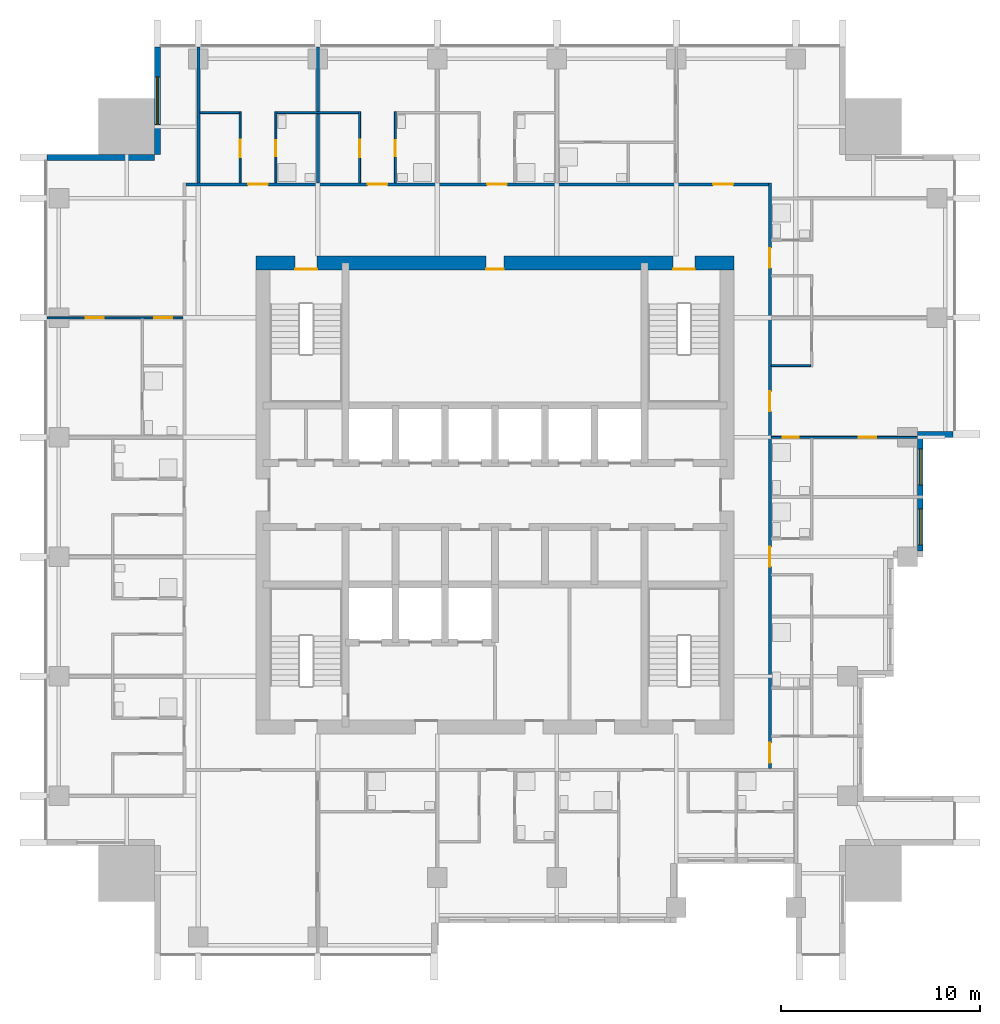
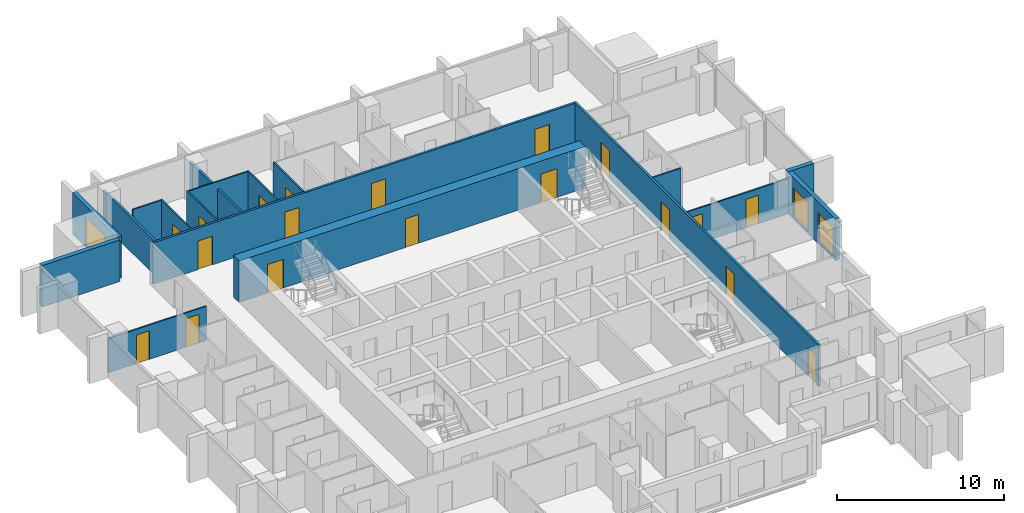
# One storey, part 7 of 10: 19 doors, 18 walls, 3 windows, 22 openings.
"""IFC4 building model written with IfcOpenShell, lengths in metres."""

from ifc_helpers import new_model, si_unit, direction, frame, frame_2d, origin, place, context, subcontext, project, spatial, rectangle, extrude, material, layer, layer_set, type_object, element, fill, save


model = new_model("IFC4")

# Units and contexts
model_context = context("Model", 3, precision=1e-05, world=origin(), true_north=direction((0.0, 1.0)))
body_context = subcontext(model_context, "Body", "Model", "MODEL_VIEW")
ifc_project = project(units=[si_unit("LENGTHUNIT", "METRE"), si_unit("AREAUNIT", "SQUARE_METRE"), si_unit("VOLUMEUNIT", "CUBIC_METRE"), si_unit("PLANEANGLEUNIT", "RADIAN"), si_unit("MASSUNIT", "GRAM", prefix="KILO")], contexts=[model_context])

# Site, building, storey
site_placement = place(None, origin())
site = spatial("IfcSite", under=ifc_project, at=site_placement, CompositionType="ELEMENT")
building_placement = place(site_placement, origin())
building = spatial("IfcBuilding", under=site, at=building_placement, Name="Amberfall Residences", CompositionType="ELEMENT")
storey_placement = place(building_placement, frame((0.0, 0.0, 158.199951171875)))
storey = spatial("IfcBuildingStorey", under=building, at=storey_placement, Name="L42", CompositionType="ELEMENT", Elevation=158.199951171875)

# Wall
ifc_material_1 = material(Name="Pale stone cladding on insulated backing", Category="masonry")
ifc_layer_1 = layer(ifc_material_1, 0.300048828125)
ifc_layer_set_1 = layer_set([ifc_layer_1], Name="Bronze clad wall 300")
wall_type_1 = type_object("IfcWallType", Name="Bronze clad wall 300", PredefinedType="SOLIDWALL", material=ifc_layer_set_1)
wall_1_placement = place(storey_placement, frame((95.699951171875, 48.550048828125, 0.0), z_axis=(0.0, 0.0, 1.0), x_axis=(1.0, 0.0, 0.0)))
element("IfcWall", 1, at=wall_1_placement, inside=storey, type_object=wall_type_1, Name="External wall L42 E", PredefinedType="SOLIDWALL", context=body_context, shape_type="SweptSolid", body=[
    extrude(rectangle(XDim=1.800048828125, YDim=0.300048828125, at=frame_2d((0.89990234375, 0.0))), origin(), (0.0, 0.0, 1.0), 3.050048828125),
])

# Wall, opening, window
wall_2_placement = place(storey_placement, frame((57.550048828125, 68.0, 0.0), z_axis=(0.0, 0.0, 1.0), x_axis=(0.0, -1.0, 0.0)))
wall_2 = element("IfcWall", 2, at=wall_2_placement, inside=storey, type_object=wall_type_1, Name="External wall L42 NW", PredefinedType="SOLIDWALL", context=body_context, shape_type="SweptSolid", body=[
    extrude(rectangle(XDim=5.39990234375, YDim=0.300048828125, at=frame_2d((2.699951171875, 0.0))), origin(), (0.0, 0.0, 1.0), 3.050048828125),
])
opening_1_placement = place(wall_2_placement, frame((1.5, 0.0, 0.14990234375)))
opening_1 = element("IfcOpeningElement", 3, at=opening_1_placement, cuts=wall_2, Name="Opening WN5", PredefinedType="OPENING", context=body_context, shape_type="SweptSolid", body=[
    extrude(rectangle(XDim=2.39990234375, YDim=2.10009765625, at=frame_2d((1.199951171875, 1.050048828125))), frame((0.0, 0.159912109375, 0.0), z_axis=(0.0, -1.0, 0.0), x_axis=(1.0, 0.0, 0.0)), (0.0, 0.0, 1.0), 0.320068359375),
])
ifc_material_2 = material(Name="Bronze aluminium framed glazing", Category="aluminium")
window_type_1 = type_object("IfcWindowType", Name="Glazed opening 2400 x 2100 bronze", PartitioningType="DOUBLE_PANEL_VERTICAL", PredefinedType="WINDOW", material=ifc_material_2)
window_1_placement = place(opening_1_placement, origin())
window_1 = element("IfcWindow", 4, at=window_1_placement, inside=storey, type_object=window_type_1, Name="Window L42 NW", OverallHeight=2.10009765625, OverallWidth=2.39990234375, PartitioningType="DOUBLE_PANEL_VERTICAL", PredefinedType="WINDOW", context=body_context, shape_type="SweptSolid", body=[
    extrude(rectangle(XDim=2.39990234375, YDim=2.10009765625, at=frame_2d((1.199951171875, 1.050048828125))), frame((0.0, 0.030029296875, 0.0), z_axis=(0.0, -1.0, 0.0), x_axis=(1.0, 0.0, 0.0)), (0.0, 0.0, 1.0), 0.06005859375),
])
fill(opening_1, window_1)

# Wall
wall_3_placement = place(storey_placement, frame((57.39990234375, 62.449951171875, 0.0), z_axis=(0.0, 0.0, 1.0), x_axis=(-1.0, 0.0, 0.0)))
element("IfcWall", 5, at=wall_3_placement, inside=storey, type_object=wall_type_1, Name="External wall L42 NW", PredefinedType="SOLIDWALL", context=body_context, shape_type="SweptSolid", body=[
    extrude(rectangle(XDim=5.39990234375, YDim=0.300048828125, at=frame_2d((2.699951171875, 0.0))), origin(), (0.0, 0.0, 1.0), 3.050048828125),
])

# Wall, openings, windows
wall_4_placement = place(storey_placement, frame((95.85009765625, 42.699951171875, 0.0), z_axis=(0.0, 0.0, 1.0), x_axis=(0.0, 1.0, 0.0)))
wall_4 = element("IfcWall", 6, at=wall_4_placement, inside=storey, type_object=wall_type_1, Name="Stone wall L42 E", PredefinedType="SOLIDWALL", context=body_context, shape_type="SweptSolid", body=[
    extrude(rectangle(XDim=5.699951171875, YDim=0.300048828125, at=frame_2d((2.85009765625, 0.0))), origin(), (0.0, 0.0, 1.0), 3.050048828125),
])
opening_2_placement = place(wall_4_placement, frame((0.300048828125, 0.0, 0.14990234375)))
opening_2 = element("IfcOpeningElement", 7, at=opening_2_placement, cuts=wall_4, Name="Opening WN6", PredefinedType="OPENING", context=body_context, shape_type="SweptSolid", body=[
    extrude(rectangle(XDim=1.800048828125, YDim=2.10009765625, at=frame_2d((0.89990234375, 1.050048828125))), frame((0.0, 0.159912109375, 0.0), z_axis=(0.0, -1.0, 0.0), x_axis=(1.0, 0.0, 0.0)), (0.0, 0.0, 1.0), 0.320068359375),
])
opening_3_placement = place(wall_4_placement, frame((3.300048828125, 0.0, 0.14990234375)))
opening_3 = element("IfcOpeningElement", 8, at=opening_3_placement, cuts=wall_4, Name="Opening WN6", PredefinedType="OPENING", context=body_context, shape_type="SweptSolid", body=[
    extrude(rectangle(XDim=1.800048828125, YDim=2.10009765625, at=frame_2d((0.89990234375, 1.050048828125))), frame((0.0, 0.159912109375, 0.0), z_axis=(0.0, -1.0, 0.0), x_axis=(1.0, 0.0, 0.0)), (0.0, 0.0, 1.0), 0.320068359375),
])
window_type_2 = type_object("IfcWindowType", Name="Glazed opening 1800 x 2100 bronze", PartitioningType="DOUBLE_PANEL_VERTICAL", PredefinedType="WINDOW", material=ifc_material_2)
window_2_placement = place(opening_2_placement, origin())
window_2 = element("IfcWindow", 9, at=window_2_placement, inside=storey, type_object=window_type_2, Name="Window L42 E", OverallHeight=2.10009765625, OverallWidth=1.800048828125, PartitioningType="DOUBLE_PANEL_VERTICAL", PredefinedType="WINDOW", context=body_context, shape_type="SweptSolid", body=[
    extrude(rectangle(XDim=1.800048828125, YDim=2.10009765625, at=frame_2d((0.89990234375, 1.050048828125))), frame((0.0, 0.030029296875, 0.0), z_axis=(0.0, -1.0, 0.0), x_axis=(1.0, 0.0, 0.0)), (0.0, 0.0, 1.0), 0.06005859375),
])
fill(opening_2, window_2)
window_3_placement = place(opening_3_placement, origin())
window_3 = element("IfcWindow", 10, at=window_3_placement, inside=storey, type_object=window_type_2, Name="Window L42 E", OverallHeight=2.10009765625, OverallWidth=1.800048828125, PartitioningType="DOUBLE_PANEL_VERTICAL", PredefinedType="WINDOW", context=body_context, shape_type="SweptSolid", body=[
    extrude(rectangle(XDim=1.800048828125, YDim=2.10009765625, at=frame_2d((0.89990234375, 1.050048828125))), frame((0.0, 0.030029296875, 0.0), z_axis=(0.0, -1.0, 0.0), x_axis=(1.0, 0.0, 0.0)), (0.0, 0.0, 1.0), 0.06005859375),
])
fill(opening_3, window_3)

# Wall, openings, doors
ifc_material_3 = material(Name="Concrete C60", Category="concrete")
ifc_layer_2 = layer(ifc_material_3, 0.699951171875)
ifc_layer_set_2 = layer_set([ifc_layer_2], Name="Core wall 700 C60")
wall_type_2 = type_object("IfcWallType", Name="Core wall 700 C60", PredefinedType="SHEAR", material=ifc_layer_set_2)
wall_5_placement = place(storey_placement, frame((62.5, 57.14990234375, 0.0), z_axis=(0.0, 0.0, 1.0), x_axis=(1.0, 0.0, 0.0)))
wall_5 = element("IfcWall", 11, at=wall_5_placement, inside=storey, type_object=wall_type_2, Name="Core wall RW5 L42 ON", PredefinedType="SHEAR", context=body_context, shape_type="SweptSolid", body=[
    extrude(rectangle(XDim=24.0, YDim=0.699951171875, at=frame_2d((12.0, 0.0))), origin(), (0.0, 0.0, 1.0), 3.050048828125),
])
opening_4_placement = place(wall_5_placement, frame((20.9375, 0.0, 0.0)))
opening_4 = element("IfcOpeningElement", 12, at=opening_4_placement, cuts=wall_5, Name="Opening SD1", PredefinedType="OPENING", context=body_context, shape_type="SweptSolid", body=[
    extrude(rectangle(XDim=1.10009765625, YDim=2.10009765625, at=frame_2d((0.550048828125, 1.050048828125))), frame((0.0, 0.35986328125, 0.0), z_axis=(0.0, -1.0, 0.0), x_axis=(1.0, 0.0, 0.0)), (0.0, 0.0, 1.0), 0.719970703125),
])
opening_5_placement = place(wall_5_placement, frame((1.96240234375, 0.0, 0.0)))
opening_5 = element("IfcOpeningElement", 13, at=opening_5_placement, cuts=wall_5, Name="Opening SD1", PredefinedType="OPENING", context=body_context, shape_type="SweptSolid", body=[
    extrude(rectangle(XDim=1.10009765625, YDim=2.10009765625, at=frame_2d((0.550048828125, 1.050048828125))), frame((0.0, 0.35986328125, 0.0), z_axis=(0.0, -1.0, 0.0), x_axis=(1.0, 0.0, 0.0)), (0.0, 0.0, 1.0), 0.719970703125),
])
opening_6_placement = place(wall_5_placement, frame((11.550048828125, 0.0, 0.0)))
opening_6 = element("IfcOpeningElement", 14, at=opening_6_placement, cuts=wall_5, Name="Opening RD1", PredefinedType="OPENING", context=body_context, shape_type="SweptSolid", body=[
    extrude(rectangle(XDim=0.89990234375, YDim=2.10009765625, at=frame_2d((0.449951171875, 1.050048828125))), frame((0.0, 0.35986328125, 0.0), z_axis=(0.0, -1.0, 0.0), x_axis=(1.0, 0.0, 0.0)), (0.0, 0.0, 1.0), 0.719970703125),
])
ifc_material_4 = material(Name="Steel fire door set", Category="steel")
door_type_1 = type_object("IfcDoorType", Name="Service room door 900 x 2100", OperationType="SINGLE_SWING_LEFT", PredefinedType="DOOR", material=ifc_material_4)
door_1_placement = place(opening_6_placement, origin())
door_1 = element("IfcDoor", 15, at=door_1_placement, inside=storey, type_object=door_type_1, Name="RD1 L42", OperationType="SINGLE_SWING_RIGHT", OverallHeight=2.10009765625, OverallWidth=0.89990234375, PredefinedType="DOOR", context=body_context, shape_type="SweptSolid", body=[
    extrude(rectangle(XDim=0.89990234375, YDim=2.10009765625, at=frame_2d((0.449951171875, 1.050048828125))), frame((0.0, -0.28759765625, 0.0), z_axis=(0.0, -1.0, 0.0), x_axis=(1.0, 0.0, 0.0)), (0.0, 0.0, 1.0), 0.050048828125),
])
fill(opening_6, door_1)
door_type_2 = type_object("IfcDoorType", Name="Stair door 1100 x 2100", OperationType="SINGLE_SWING_LEFT", PredefinedType="DOOR", material=ifc_material_4)
door_2_placement = place(opening_4_placement, origin())
door_2 = element("IfcDoor", 16, at=door_2_placement, inside=storey, type_object=door_type_2, Name="SD1 L42", OperationType="SINGLE_SWING_RIGHT", OverallHeight=2.10009765625, OverallWidth=1.10009765625, PredefinedType="DOOR", context=body_context, shape_type="SweptSolid", body=[
    extrude(rectangle(XDim=1.10009765625, YDim=2.10009765625, at=frame_2d((0.550048828125, 1.050048828125))), frame((0.0, -0.28759765625, 0.0), z_axis=(0.0, -1.0, 0.0), x_axis=(1.0, 0.0, 0.0)), (0.0, 0.0, 1.0), 0.050048828125),
])
fill(opening_4, door_2)
door_3_placement = place(opening_5_placement, origin())
door_3 = element("IfcDoor", 17, at=door_3_placement, inside=storey, type_object=door_type_2, Name="SD1 L42", OperationType="SINGLE_SWING_LEFT", OverallHeight=2.10009765625, OverallWidth=1.10009765625, PredefinedType="DOOR", context=body_context, shape_type="SweptSolid", body=[
    extrude(rectangle(XDim=1.10009765625, YDim=2.10009765625, at=frame_2d((0.550048828125, 1.050048828125))), frame((0.0, -0.28759765625, 0.0), z_axis=(0.0, -1.0, 0.0), x_axis=(1.0, 0.0, 0.0)), (0.0, 0.0, 1.0), 0.050048828125),
])
fill(opening_5, door_3)

# Wall, opening, door
ifc_material_5 = material(Name="Gypsum board on metal stud")
ifc_layer_3 = layer(ifc_material_5, 0.10009765625)
ifc_layer_set_3 = layer_set([ifc_layer_3], Name="Flat partition 100")
wall_type_3 = type_object("IfcWallType", Name="Flat partition 100", PredefinedType="PARTITIONING", material=ifc_layer_set_3)
wall_6_placement = place(storey_placement, frame((61.699951171875, 61.175048828125, 0.0), z_axis=(0.0, 0.0, 1.0), x_axis=(0.0, 1.0, 0.0)))
wall_6 = element("IfcWall", 18, at=wall_6_placement, inside=storey, type_object=wall_type_3, Name="Partition 006", PredefinedType="PARTITIONING", context=body_context, shape_type="SweptSolid", body=[
    extrude(rectangle(XDim=3.574951171875, YDim=0.10009765625, at=frame_2d((1.78759765625, 0.0))), origin(), (0.0, 0.0, 1.0), 3.050048828125),
])
opening_7_placement = place(wall_6_placement, frame((1.27490234375, 0.0, 0.0)))
opening_7 = element("IfcOpeningElement", 19, at=opening_7_placement, cuts=wall_6, Name="Opening D41", PredefinedType="OPENING", context=body_context, shape_type="SweptSolid", body=[
    extrude(rectangle(XDim=0.89990234375, YDim=2.10009765625, at=frame_2d((0.449951171875, 1.050048828125))), frame((0.0, 0.06005859375, 0.0), z_axis=(0.0, -1.0, 0.0), x_axis=(1.0, 0.0, 0.0)), (0.0, 0.0, 1.0), 0.1201171875),
])
ifc_material_6 = material(Name="Timber", Category="wood")
door_type_3 = type_object("IfcDoorType", Name="Internal door 900 x 2100", OperationType="SINGLE_SWING_LEFT", PredefinedType="DOOR", material=ifc_material_6)
door_4_placement = place(opening_7_placement, origin())
door_4 = element("IfcDoor", 20, at=door_4_placement, inside=storey, type_object=door_type_3, Name="Door 4208 kitchen", OperationType="SINGLE_SWING_LEFT", OverallHeight=2.10009765625, OverallWidth=0.89990234375, PredefinedType="DOOR", context=body_context, shape_type="SweptSolid", body=[
    extrude(rectangle(XDim=0.89990234375, YDim=2.10009765625, at=frame_2d((0.449951171875, 1.050048828125))), frame((0.0, 0.02490234375, 0.0), z_axis=(0.0, -1.0, 0.0), x_axis=(1.0, 0.0, 0.0)), (0.0, 0.0, 1.0), 0.050048828125),
])
fill(opening_7, door_4)

wall_7_placement = place(storey_placement, frame((63.5, 64.75, 0.0), z_axis=(0.0, 0.0, 1.0), x_axis=(0.0, -1.0, 0.0)))
wall_7 = element("IfcWall", 21, at=wall_7_placement, inside=storey, type_object=wall_type_3, Name="Partition 007", PredefinedType="PARTITIONING", context=body_context, shape_type="SweptSolid", body=[
    extrude(rectangle(XDim=3.574951171875, YDim=0.10009765625, at=frame_2d((1.78759765625, 0.0))), origin(), (0.0, 0.0, 1.0), 3.050048828125),
])
opening_8_placement = place(wall_7_placement, frame((1.449951171875, 0.0, 0.0)))
opening_8 = element("IfcOpeningElement", 22, at=opening_8_placement, cuts=wall_7, Name="Opening D42", PredefinedType="OPENING", context=body_context, shape_type="SweptSolid", body=[
    extrude(rectangle(XDim=0.800048828125, YDim=2.10009765625, at=frame_2d((0.39990234375, 1.050048828125))), frame((0.0, 0.06005859375, 0.0), z_axis=(0.0, -1.0, 0.0), x_axis=(1.0, 0.0, 0.0)), (0.0, 0.0, 1.0), 0.1201171875),
])
door_type_4 = type_object("IfcDoorType", Name="Bathroom door 800 x 2100", OperationType="SINGLE_SWING_LEFT", PredefinedType="DOOR", material=ifc_material_6)
door_5_placement = place(opening_8_placement, origin())
door_5 = element("IfcDoor", 23, at=door_5_placement, inside=storey, type_object=door_type_4, Name="Door 4208 bath1", OperationType="SINGLE_SWING_LEFT", OverallHeight=2.10009765625, OverallWidth=0.800048828125, PredefinedType="DOOR", context=body_context, shape_type="SweptSolid", body=[
    extrude(rectangle(XDim=0.800048828125, YDim=2.10009765625, at=frame_2d((0.39990234375, 1.050048828125))), frame((0.0, 0.02490234375, 0.0), z_axis=(0.0, -1.0, 0.0), x_axis=(1.0, 0.0, 0.0)), (0.0, 0.0, 1.0), 0.050048828125),
])
fill(opening_8, door_5)

wall_8_placement = place(storey_placement, frame((67.699951171875, 61.175048828125, 0.0), z_axis=(0.0, 0.0, 1.0), x_axis=(0.0, 1.0, 0.0)))
wall_8 = element("IfcWall", 24, at=wall_8_placement, inside=storey, type_object=wall_type_3, Name="Partition 009", PredefinedType="PARTITIONING", context=body_context, shape_type="SweptSolid", body=[
    extrude(rectangle(XDim=3.574951171875, YDim=0.10009765625, at=frame_2d((1.78759765625, 0.0))), origin(), (0.0, 0.0, 1.0), 3.050048828125),
])
opening_9_placement = place(wall_8_placement, frame((1.27490234375, 0.0, 0.0)))
opening_9 = element("IfcOpeningElement", 25, at=opening_9_placement, cuts=wall_8, Name="Opening D41", PredefinedType="OPENING", context=body_context, shape_type="SweptSolid", body=[
    extrude(rectangle(XDim=0.89990234375, YDim=2.10009765625, at=frame_2d((0.449951171875, 1.050048828125))), frame((0.0, 0.06005859375, 0.0), z_axis=(0.0, -1.0, 0.0), x_axis=(1.0, 0.0, 0.0)), (0.0, 0.0, 1.0), 0.1201171875),
])
door_6_placement = place(opening_9_placement, origin())
door_6 = element("IfcDoor", 26, at=door_6_placement, inside=storey, type_object=door_type_3, Name="Door 4209 kitchen", OperationType="SINGLE_SWING_LEFT", OverallHeight=2.10009765625, OverallWidth=0.89990234375, PredefinedType="DOOR", context=body_context, shape_type="SweptSolid", body=[
    extrude(rectangle(XDim=0.89990234375, YDim=2.10009765625, at=frame_2d((0.449951171875, 1.050048828125))), frame((0.0, 0.02490234375, 0.0), z_axis=(0.0, -1.0, 0.0), x_axis=(1.0, 0.0, 0.0)), (0.0, 0.0, 1.0), 0.050048828125),
])
fill(opening_9, door_6)

wall_9_placement = place(storey_placement, frame((69.5, 64.75, 0.0), z_axis=(0.0, 0.0, 1.0), x_axis=(0.0, -1.0, 0.0)))
wall_9 = element("IfcWall", 27, at=wall_9_placement, inside=storey, type_object=wall_type_3, Name="Partition 011", PredefinedType="PARTITIONING", context=body_context, shape_type="SweptSolid", body=[
    extrude(rectangle(XDim=3.574951171875, YDim=0.10009765625, at=frame_2d((1.78759765625, 0.0))), origin(), (0.0, 0.0, 1.0), 3.050048828125),
])
opening_10_placement = place(wall_9_placement, frame((1.449951171875, 0.0, 0.0)))
opening_10 = element("IfcOpeningElement", 28, at=opening_10_placement, cuts=wall_9, Name="Opening D42", PredefinedType="OPENING", context=body_context, shape_type="SweptSolid", body=[
    extrude(rectangle(XDim=0.800048828125, YDim=2.10009765625, at=frame_2d((0.39990234375, 1.050048828125))), frame((0.0, 0.06005859375, 0.0), z_axis=(0.0, -1.0, 0.0), x_axis=(1.0, 0.0, 0.0)), (0.0, 0.0, 1.0), 0.1201171875),
])
door_7_placement = place(opening_10_placement, origin())
door_7 = element("IfcDoor", 29, at=door_7_placement, inside=storey, type_object=door_type_4, Name="Door 4209 bath1", OperationType="SINGLE_SWING_LEFT", OverallHeight=2.10009765625, OverallWidth=0.800048828125, PredefinedType="DOOR", context=body_context, shape_type="SweptSolid", body=[
    extrude(rectangle(XDim=0.800048828125, YDim=2.10009765625, at=frame_2d((0.39990234375, 1.050048828125))), frame((0.0, 0.02490234375, 0.0), z_axis=(0.0, -1.0, 0.0), x_axis=(1.0, 0.0, 0.0)), (0.0, 0.0, 1.0), 0.050048828125),
])
fill(opening_10, door_7)

# Walls
wall_10_placement = place(storey_placement, frame((59.675048828125, 64.699951171875, 0.0), z_axis=(0.0, 0.0, 1.0), x_axis=(1.0, 0.0, 0.0)))
element("IfcWall", 30, at=wall_10_placement, inside=storey, type_object=wall_type_3, Name="Partition 025", PredefinedType="PARTITIONING", context=body_context, shape_type="SweptSolid", body=[
    extrude(rectangle(XDim=1.974853515625, YDim=0.10009765625, at=frame_2d((0.9873046875, 0.0))), origin(), (0.0, 0.0, 1.0), 3.050048828125),
])
wall_11_placement = place(storey_placement, frame((63.550048828125, 64.699951171875, 0.0), z_axis=(0.0, 0.0, 1.0), x_axis=(1.0, 0.0, 0.0)))
element("IfcWall", 31, at=wall_11_placement, inside=storey, type_object=wall_type_3, Name="Partition 026", PredefinedType="PARTITIONING", context=body_context, shape_type="SweptSolid", body=[
    extrude(rectangle(XDim=4.099853515625, YDim=0.10009765625, at=frame_2d((2.0498046875, 0.0))), origin(), (0.0, 0.0, 1.0), 3.050048828125),
])

# Wall, openings, doors
wall_12_placement = place(storey_placement, frame((58.824951171875, 54.39990234375, 0.0), z_axis=(0.0, 0.0, 1.0), x_axis=(-1.0, 0.0, 0.0)))
wall_12 = element("IfcWall", 32, at=wall_12_placement, inside=storey, type_object=wall_type_3, Name="Partition 032", PredefinedType="PARTITIONING", context=body_context, shape_type="SweptSolid", body=[
    extrude(rectangle(XDim=6.824951171875, YDim=0.10009765625, at=frame_2d((3.41259765625, 0.0))), origin(), (0.0, 0.0, 1.0), 2.51611328125),
])
opening_11_placement = place(wall_12_placement, frame((0.52490234375, 0.0, 0.0)))
opening_11 = element("IfcOpeningElement", 33, at=opening_11_placement, cuts=wall_12, Name="Opening D41", PredefinedType="OPENING", context=body_context, shape_type="SweptSolid", body=[
    extrude(rectangle(XDim=0.89990234375, YDim=2.10009765625, at=frame_2d((0.449951171875, 1.050048828125))), frame((0.0, 0.06005859375, 0.0), z_axis=(0.0, -1.0, 0.0), x_axis=(1.0, 0.0, 0.0)), (0.0, 0.0, 1.0), 0.1201171875),
])
opening_12_placement = place(wall_12_placement, frame((3.97509765625, 0.0, 0.0)))
opening_12 = element("IfcOpeningElement", 34, at=opening_12_placement, cuts=wall_12, Name="Opening D41", PredefinedType="OPENING", context=body_context, shape_type="SweptSolid", body=[
    extrude(rectangle(XDim=0.89990234375, YDim=2.10009765625, at=frame_2d((0.449951171875, 1.050048828125))), frame((0.0, 0.06005859375, 0.0), z_axis=(0.0, -1.0, 0.0), x_axis=(1.0, 0.0, 0.0)), (0.0, 0.0, 1.0), 0.1201171875),
])
door_8_placement = place(opening_11_placement, origin())
door_8 = element("IfcDoor", 35, at=door_8_placement, inside=storey, type_object=door_type_3, Name="Door 4215 kitchen", OperationType="SINGLE_SWING_LEFT", OverallHeight=2.10009765625, OverallWidth=0.89990234375, PredefinedType="DOOR", context=body_context, shape_type="SweptSolid", body=[
    extrude(rectangle(XDim=0.89990234375, YDim=2.10009765625, at=frame_2d((0.449951171875, 1.050048828125))), frame((0.0, 0.02490234375, 0.0), z_axis=(0.0, -1.0, 0.0), x_axis=(1.0, 0.0, 0.0)), (0.0, 0.0, 1.0), 0.050048828125),
])
fill(opening_11, door_8)
door_9_placement = place(opening_12_placement, origin())
door_9 = element("IfcDoor", 36, at=door_9_placement, inside=storey, type_object=door_type_3, Name="Door 4215 bedroom1", OperationType="SINGLE_SWING_LEFT", OverallHeight=2.10009765625, OverallWidth=0.89990234375, PredefinedType="DOOR", context=body_context, shape_type="SweptSolid", body=[
    extrude(rectangle(XDim=0.89990234375, YDim=2.10009765625, at=frame_2d((0.449951171875, 1.050048828125))), frame((0.0, 0.02490234375, 0.0), z_axis=(0.0, -1.0, 0.0), x_axis=(1.0, 0.0, 0.0)), (0.0, 0.0, 1.0), 0.050048828125),
])
fill(opening_12, door_9)

# Wall
wall_13_placement = place(storey_placement, frame((88.375, 52.0, 0.0), z_axis=(0.0, 0.0, 1.0), x_axis=(1.0, 0.0, 0.0)))
element("IfcWall", 37, at=wall_13_placement, inside=storey, type_object=wall_type_3, Name="Partition 034", PredefinedType="PARTITIONING", context=body_context, shape_type="SweptSolid", body=[
    extrude(rectangle(XDim=1.97509765625, YDim=0.10009765625, at=frame_2d((0.987548828125, 0.0))), origin(), (0.0, 0.0, 1.0), 3.050048828125),
])

# Wall, openings, doors
wall_14_placement = place(storey_placement, frame((96.0, 48.39990234375, 0.0), z_axis=(0.0, 0.0, 1.0), x_axis=(-1.0, 0.0, 0.0)))
wall_14 = element("IfcWall", 38, at=wall_14_placement, inside=storey, type_object=wall_type_3, Name="Partition 035", PredefinedType="PARTITIONING", context=body_context, shape_type="SweptSolid", body=[
    extrude(rectangle(XDim=7.625, YDim=0.10009765625, at=frame_2d((3.8125, 0.0))), origin(), (0.0, 0.0, 1.0), 2.590087890625),
])
opening_13_placement = place(wall_14_placement, frame((2.35009765625, 0.0, 0.0)))
opening_13 = element("IfcOpeningElement", 39, at=opening_13_placement, cuts=wall_14, Name="Opening D41", PredefinedType="OPENING", context=body_context, shape_type="SweptSolid", body=[
    extrude(rectangle(XDim=0.89990234375, YDim=2.10009765625, at=frame_2d((0.449951171875, 1.050048828125))), frame((0.0, 0.06005859375, 0.0), z_axis=(0.0, -1.0, 0.0), x_axis=(1.0, 0.0, 0.0)), (0.0, 0.0, 1.0), 0.1201171875),
])
opening_14_placement = place(wall_14_placement, frame((6.25, 0.0, 0.0)))
opening_14 = element("IfcOpeningElement", 40, at=opening_14_placement, cuts=wall_14, Name="Opening D42", PredefinedType="OPENING", context=body_context, shape_type="SweptSolid", body=[
    extrude(rectangle(XDim=0.800048828125, YDim=2.10009765625, at=frame_2d((0.39990234375, 1.050048828125))), frame((0.0, 0.06005859375, 0.0), z_axis=(0.0, -1.0, 0.0), x_axis=(1.0, 0.0, 0.0)), (0.0, 0.0, 1.0), 0.1201171875),
])
door_10_placement = place(opening_14_placement, origin())
door_10 = element("IfcDoor", 41, at=door_10_placement, inside=storey, type_object=door_type_4, Name="Door 4206 bath1", OperationType="SINGLE_SWING_LEFT", OverallHeight=2.10009765625, OverallWidth=0.800048828125, PredefinedType="DOOR", context=body_context, shape_type="SweptSolid", body=[
    extrude(rectangle(XDim=0.800048828125, YDim=2.10009765625, at=frame_2d((0.39990234375, 1.050048828125))), frame((0.0, 0.02490234375, 0.0), z_axis=(0.0, -1.0, 0.0), x_axis=(1.0, 0.0, 0.0)), (0.0, 0.0, 1.0), 0.050048828125),
])
fill(opening_14, door_10)
door_11_placement = place(opening_13_placement, origin())
door_11 = element("IfcDoor", 42, at=door_11_placement, inside=storey, type_object=door_type_3, Name="Door 4206 bedroom1", OperationType="SINGLE_SWING_LEFT", OverallHeight=2.10009765625, OverallWidth=0.89990234375, PredefinedType="DOOR", context=body_context, shape_type="SweptSolid", body=[
    extrude(rectangle(XDim=0.89990234375, YDim=2.10009765625, at=frame_2d((0.449951171875, 1.050048828125))), frame((0.0, 0.02490234375, 0.0), z_axis=(0.0, -1.0, 0.0), x_axis=(1.0, 0.0, 0.0)), (0.0, 0.0, 1.0), 0.050048828125),
])
fill(opening_13, door_11)

# Walls
ifc_material_7 = material(Name="Blockwork, plastered", Category="masonry")
ifc_layer_4 = layer(ifc_material_7, 0.14990234375)
ifc_layer_set_4 = layer_set([ifc_layer_4], Name="Flat separating wall 150")
wall_type_4 = type_object("IfcWallType", Name="Flat separating wall 150", PredefinedType="PARTITIONING", material=ifc_layer_set_4)
wall_15_placement = place(storey_placement, frame((59.60009765625, 61.175048828125, 0.0), z_axis=(0.0, 0.0, 1.0), x_axis=(0.0, 1.0, 0.0)))
element("IfcWall", 43, at=wall_15_placement, inside=storey, type_object=wall_type_4, Name="Separating wall 052", PredefinedType="PARTITIONING", context=body_context, shape_type="SweptSolid", body=[
    extrude(rectangle(XDim=6.824951171875, YDim=0.14990234375, at=frame_2d((3.41259765625, 0.0))), origin(), (0.0, 0.0, 1.0), 2.510009765625),
])
wall_16_placement = place(storey_placement, frame((65.60009765625, 61.175048828125, 0.0), z_axis=(0.0, 0.0, 1.0), x_axis=(0.0, 1.0, 0.0)))
element("IfcWall", 44, at=wall_16_placement, inside=storey, type_object=wall_type_4, Name="Separating wall 053", PredefinedType="PARTITIONING", context=body_context, shape_type="SweptSolid", body=[
    extrude(rectangle(XDim=6.824951171875, YDim=0.14990234375, at=frame_2d((3.41259765625, 0.0))), origin(), (0.0, 0.0, 1.0), 2.51611328125),
])

# Wall, openings, doors
wall_17_placement = place(storey_placement, frame((88.300048828125, 61.175048828125, 0.0), z_axis=(0.0, 0.0, 1.0), x_axis=(0.0, -1.0, 0.0)))
wall_17 = element("IfcWall", 45, at=wall_17_placement, inside=storey, type_object=wall_type_4, Name="Separating wall 058", PredefinedType="PARTITIONING", context=body_context, shape_type="SweptSolid", body=[
    extrude(rectangle(XDim=29.400146484375, YDim=0.14990234375, at=frame_2d((14.7001953125, 0.0))), origin(), (0.0, 0.0, 1.0), 3.050048828125),
])
opening_15_placement = place(wall_17_placement, frame((28.125, 0.0, 0.0)))
opening_15 = element("IfcOpeningElement", 46, at=opening_15_placement, cuts=wall_17, Name="Opening D40", PredefinedType="OPENING", context=body_context, shape_type="SweptSolid", body=[
    extrude(rectangle(XDim=1.0, YDim=2.10009765625, at=frame_2d((0.5, 1.050048828125))), frame((0.0, 0.0849609375, 0.0), z_axis=(0.0, -1.0, 0.0), x_axis=(1.0, 0.0, 0.0)), (0.0, 0.0, 1.0), 0.169921875),
])
opening_16_placement = place(wall_17_placement, frame((18.27490234375, 0.0, 0.0)))
opening_16 = element("IfcOpeningElement", 47, at=opening_16_placement, cuts=wall_17, Name="Opening D40", PredefinedType="OPENING", context=body_context, shape_type="SweptSolid", body=[
    extrude(rectangle(XDim=1.0, YDim=2.10009765625, at=frame_2d((0.5, 1.050048828125))), frame((0.0, 0.0849609375, 0.0), z_axis=(0.0, -1.0, 0.0), x_axis=(1.0, 0.0, 0.0)), (0.0, 0.0, 1.0), 0.169921875),
])
opening_17_placement = place(wall_17_placement, frame((10.47509765625, 0.0, 0.0)))
opening_17 = element("IfcOpeningElement", 48, at=opening_17_placement, cuts=wall_17, Name="Opening D40", PredefinedType="OPENING", context=body_context, shape_type="SweptSolid", body=[
    extrude(rectangle(XDim=1.0, YDim=2.10009765625, at=frame_2d((0.5, 1.050048828125))), frame((0.0, 0.0849609375, 0.0), z_axis=(0.0, -1.0, 0.0), x_axis=(1.0, 0.0, 0.0)), (0.0, 0.0, 1.0), 0.169921875),
])
opening_18_placement = place(wall_17_placement, frame((3.27490234375, 0.0, 0.0)))
opening_18 = element("IfcOpeningElement", 49, at=opening_18_placement, cuts=wall_17, Name="Opening D40", PredefinedType="OPENING", context=body_context, shape_type="SweptSolid", body=[
    extrude(rectangle(XDim=1.0, YDim=2.10009765625, at=frame_2d((0.5, 1.050048828125))), frame((0.0, 0.0849609375, 0.0), z_axis=(0.0, -1.0, 0.0), x_axis=(1.0, 0.0, 0.0)), (0.0, 0.0, 1.0), 0.169921875),
])
ifc_material_8 = material(Name="Timber, fire-rated", Category="wood")
door_type_5 = type_object("IfcDoorType", Name="Flat entrance door FD60 1000 x 2100", OperationType="SINGLE_SWING_LEFT", PredefinedType="DOOR", material=ifc_material_8)
door_12_placement = place(opening_15_placement, origin())
door_12 = element("IfcDoor", 50, at=door_12_placement, inside=storey, type_object=door_type_5, Name="Door 4204 entrance", OperationType="SINGLE_SWING_LEFT", OverallHeight=2.10009765625, OverallWidth=1.0, PredefinedType="DOOR", context=body_context, shape_type="SweptSolid", body=[
    extrude(rectangle(XDim=1.0, YDim=2.10009765625, at=frame_2d((0.5, 1.050048828125))), frame((0.0, 0.02490234375, 0.0), z_axis=(0.0, -1.0, 0.0), x_axis=(1.0, 0.0, 0.0)), (0.0, 0.0, 1.0), 0.050048828125),
])
fill(opening_15, door_12)
door_13_placement = place(opening_16_placement, origin())
door_13 = element("IfcDoor", 51, at=door_13_placement, inside=storey, type_object=door_type_5, Name="Door 4205 entrance", OperationType="SINGLE_SWING_LEFT", OverallHeight=2.10009765625, OverallWidth=1.0, PredefinedType="DOOR", context=body_context, shape_type="SweptSolid", body=[
    extrude(rectangle(XDim=1.0, YDim=2.10009765625, at=frame_2d((0.5, 1.050048828125))), frame((0.0, 0.02490234375, 0.0), z_axis=(0.0, -1.0, 0.0), x_axis=(1.0, 0.0, 0.0)), (0.0, 0.0, 1.0), 0.050048828125),
])
fill(opening_16, door_13)
door_14_placement = place(opening_17_placement, origin())
door_14 = element("IfcDoor", 52, at=door_14_placement, inside=storey, type_object=door_type_5, Name="Door 4206 entrance", OperationType="SINGLE_SWING_LEFT", OverallHeight=2.10009765625, OverallWidth=1.0, PredefinedType="DOOR", context=body_context, shape_type="SweptSolid", body=[
    extrude(rectangle(XDim=1.0, YDim=2.10009765625, at=frame_2d((0.5, 1.050048828125))), frame((0.0, 0.02490234375, 0.0), z_axis=(0.0, -1.0, 0.0), x_axis=(1.0, 0.0, 0.0)), (0.0, 0.0, 1.0), 0.050048828125),
])
fill(opening_17, door_14)
door_15_placement = place(opening_18_placement, origin())
door_15 = element("IfcDoor", 53, at=door_15_placement, inside=storey, type_object=door_type_5, Name="Door 4207 entrance", OperationType="SINGLE_SWING_LEFT", OverallHeight=2.10009765625, OverallWidth=1.0, PredefinedType="DOOR", context=body_context, shape_type="SweptSolid", body=[
    extrude(rectangle(XDim=1.0, YDim=2.10009765625, at=frame_2d((0.5, 1.050048828125))), frame((0.0, 0.02490234375, 0.0), z_axis=(0.0, -1.0, 0.0), x_axis=(1.0, 0.0, 0.0)), (0.0, 0.0, 1.0), 0.050048828125),
])
fill(opening_18, door_15)

wall_18_placement = place(storey_placement, frame((58.97509765625, 61.10009765625, 0.0), z_axis=(0.0, 0.0, 1.0), x_axis=(1.0, 0.0, 0.0)))
wall_18 = element("IfcWall", 54, at=wall_18_placement, inside=storey, type_object=wall_type_4, Name="Separating wall 060", PredefinedType="PARTITIONING", context=body_context, shape_type="SweptSolid", body=[
    extrude(rectangle(XDim=29.25, YDim=0.14990234375, at=frame_2d((14.625, 0.0))), origin(), (0.0, 0.0, 1.0), 3.050048828125),
])
opening_19_placement = place(wall_18_placement, frame((3.125, 0.0, 0.0)))
opening_19 = element("IfcOpeningElement", 55, at=opening_19_placement, cuts=wall_18, Name="Opening D40", PredefinedType="OPENING", context=body_context, shape_type="SweptSolid", body=[
    extrude(rectangle(XDim=1.0, YDim=2.10009765625, at=frame_2d((0.5, 1.050048828125))), frame((0.0, 0.0849609375, 0.0), z_axis=(0.0, -1.0, 0.0), x_axis=(1.0, 0.0, 0.0)), (0.0, 0.0, 1.0), 0.169921875),
])
opening_20_placement = place(wall_18_placement, frame((9.125, 0.0, 0.0)))
opening_20 = element("IfcOpeningElement", 56, at=opening_20_placement, cuts=wall_18, Name="Opening D40", PredefinedType="OPENING", context=body_context, shape_type="SweptSolid", body=[
    extrude(rectangle(XDim=1.0, YDim=2.10009765625, at=frame_2d((0.5, 1.050048828125))), frame((0.0, 0.0849609375, 0.0), z_axis=(0.0, -1.0, 0.0), x_axis=(1.0, 0.0, 0.0)), (0.0, 0.0, 1.0), 0.169921875),
])
opening_21_placement = place(wall_18_placement, frame((15.125, 0.0, 0.0)))
opening_21 = element("IfcOpeningElement", 57, at=opening_21_placement, cuts=wall_18, Name="Opening D40", PredefinedType="OPENING", context=body_context, shape_type="SweptSolid", body=[
    extrude(rectangle(XDim=1.0, YDim=2.10009765625, at=frame_2d((0.5, 1.050048828125))), frame((0.0, 0.0849609375, 0.0), z_axis=(0.0, -1.0, 0.0), x_axis=(1.0, 0.0, 0.0)), (0.0, 0.0, 1.0), 0.169921875),
])
opening_22_placement = place(wall_18_placement, frame((26.47509765625, 0.0, 0.0)))
opening_22 = element("IfcOpeningElement", 58, at=opening_22_placement, cuts=wall_18, Name="Opening D40", PredefinedType="OPENING", context=body_context, shape_type="SweptSolid", body=[
    extrude(rectangle(XDim=1.0, YDim=2.10009765625, at=frame_2d((0.5, 1.050048828125))), frame((0.0, 0.0849609375, 0.0), z_axis=(0.0, -1.0, 0.0), x_axis=(1.0, 0.0, 0.0)), (0.0, 0.0, 1.0), 0.169921875),
])
door_16_placement = place(opening_19_placement, origin())
door_16 = element("IfcDoor", 59, at=door_16_placement, inside=storey, type_object=door_type_5, Name="Door 4208 entrance", OperationType="SINGLE_SWING_LEFT", OverallHeight=2.10009765625, OverallWidth=1.0, PredefinedType="DOOR", context=body_context, shape_type="SweptSolid", body=[
    extrude(rectangle(XDim=1.0, YDim=2.10009765625, at=frame_2d((0.5, 1.050048828125))), frame((0.0, 0.02490234375, 0.0), z_axis=(0.0, -1.0, 0.0), x_axis=(1.0, 0.0, 0.0)), (0.0, 0.0, 1.0), 0.050048828125),
])
fill(opening_19, door_16)
door_17_placement = place(opening_20_placement, origin())
door_17 = element("IfcDoor", 60, at=door_17_placement, inside=storey, type_object=door_type_5, Name="Door 4209 entrance", OperationType="SINGLE_SWING_LEFT", OverallHeight=2.10009765625, OverallWidth=1.0, PredefinedType="DOOR", context=body_context, shape_type="SweptSolid", body=[
    extrude(rectangle(XDim=1.0, YDim=2.10009765625, at=frame_2d((0.5, 1.050048828125))), frame((0.0, 0.02490234375, 0.0), z_axis=(0.0, -1.0, 0.0), x_axis=(1.0, 0.0, 0.0)), (0.0, 0.0, 1.0), 0.050048828125),
])
fill(opening_20, door_17)
door_18_placement = place(opening_21_placement, origin())
door_18 = element("IfcDoor", 61, at=door_18_placement, inside=storey, type_object=door_type_5, Name="Door 4210 entrance", OperationType="SINGLE_SWING_LEFT", OverallHeight=2.10009765625, OverallWidth=1.0, PredefinedType="DOOR", context=body_context, shape_type="SweptSolid", body=[
    extrude(rectangle(XDim=1.0, YDim=2.10009765625, at=frame_2d((0.5, 1.050048828125))), frame((0.0, 0.02490234375, 0.0), z_axis=(0.0, -1.0, 0.0), x_axis=(1.0, 0.0, 0.0)), (0.0, 0.0, 1.0), 0.050048828125),
])
fill(opening_21, door_18)
door_19_placement = place(opening_22_placement, origin())
door_19 = element("IfcDoor", 62, at=door_19_placement, inside=storey, type_object=door_type_5, Name="Door 4211 entrance", OperationType="SINGLE_SWING_LEFT", OverallHeight=2.10009765625, OverallWidth=1.0, PredefinedType="DOOR", context=body_context, shape_type="SweptSolid", body=[
    extrude(rectangle(XDim=1.0, YDim=2.10009765625, at=frame_2d((0.5, 1.050048828125))), frame((0.0, 0.02490234375, 0.0), z_axis=(0.0, -1.0, 0.0), x_axis=(1.0, 0.0, 0.0)), (0.0, 0.0, 1.0), 0.050048828125),
])
fill(opening_22, door_19)

save(model, "model.ifc")
